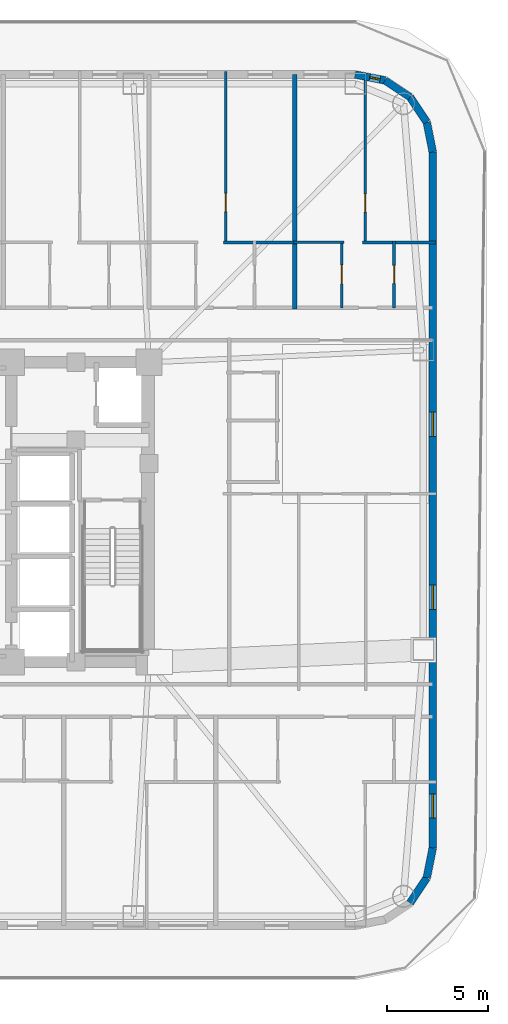
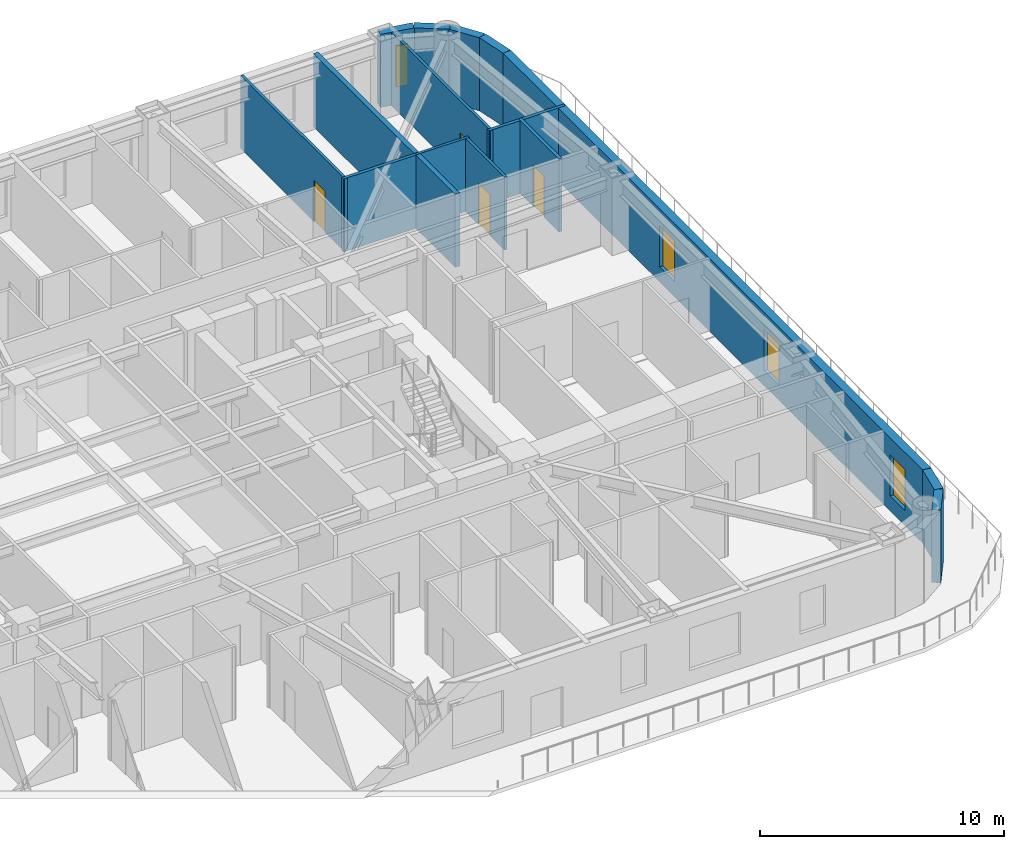
# One storey, part 10 of 16: 15 walls, 4 doors, 4 windows, 8 openings.
"""IFC4 building model written with IfcOpenShell, lengths in metres."""

from ifc_helpers import new_model, si_unit, direction, frame, frame_2d, origin, place, context, subcontext, project, spatial, rectangle, extrude, material, layer, layer_set, type_object, element, fill, save


model = new_model("IFC4")

# Units and contexts
model_context = context("Model", 3, precision=1e-05, world=origin(), true_north=direction((0.0, 1.0)))
body_context = subcontext(model_context, "Body", "Model", "MODEL_VIEW")
ifc_project = project(units=[si_unit("LENGTHUNIT", "METRE"), si_unit("AREAUNIT", "SQUARE_METRE"), si_unit("VOLUMEUNIT", "CUBIC_METRE"), si_unit("PLANEANGLEUNIT", "RADIAN"), si_unit("MASSUNIT", "GRAM", prefix="KILO")], contexts=[model_context])

# Site, building, storey
site_placement = place(None, origin())
site = spatial("IfcSite", under=ifc_project, at=site_placement, CompositionType="ELEMENT")
building_placement = place(site_placement, origin())
building = spatial("IfcBuilding", under=site, at=building_placement, Name="Voryun Gate Residences", CompositionType="ELEMENT")
storey_placement = place(building_placement, frame((0.0, 0.0, 113.10009765625)))
storey = spatial("IfcBuildingStorey", under=building, at=storey_placement, Name="L27", CompositionType="ELEMENT", Elevation=113.10009765625)

# Wall, opening, window
ifc_material_1 = material(Name="Granite masonry", Category="masonry")
ifc_layer_1 = layer(ifc_material_1, 0.3798828125, Name="W_EXT_GRANITE_380")
ifc_layer_set_1 = layer_set([ifc_layer_1], Name="Granite masonry")
wall_type_1 = type_object("IfcWallType", Name="W_EXT_GRANITE_380", PredefinedType="ELEMENTEDWALL", material=ifc_layer_set_1)
wall_1_placement = place(storey_placement, frame((29.38134765625, 21.610107421875, 0.0), z_axis=(0.0, 0.0, 1.0), x_axis=(0.980755066645, -0.195242155415, 0.0)))
wall_1 = element("IfcWall", 1, at=wall_1_placement, inside=storey, type_object=wall_type_1, Name="Exterior wall WEXT-L27-12", PredefinedType="ELEMENTEDWALL", context=body_context, shape_type="SweptSolid", body=[
    extrude(rectangle(XDim=1.50439453125, YDim=0.3798828125, at=frame_2d((0.752197265625, 0.0))), origin(), (0.0, 0.0, 1.0), 3.64990234375),
])
opening_1_placement = place(wall_1_placement, frame((0.732177734375, 0.0, 0.75)))
opening_1 = element("IfcOpeningElement", 2, at=opening_1_placement, cuts=wall_1, Name="Opening WN10", PredefinedType="OPENING", context=body_context, shape_type="SweptSolid", body=[
    extrude(rectangle(XDim=0.52001953125, YDim=2.050048828125, at=frame_2d((0.260009765625, 1.02490234375))), frame((0.0, 0.199951171875, 0.0), z_axis=(0.0, -1.0, 0.0), x_axis=(1.0, 0.0, 0.0)), (0.0, 0.0, 1.0), 0.39990234375),
])
ifc_material_2 = material(Name="Laminated low-E glass", Category="glass")
window_type_1 = type_object("IfcWindowType", Name="WN_PAGODA_LANCET_520", PartitioningType="SINGLE_PANEL", PredefinedType="WINDOW", material=ifc_material_2)
window_1_placement = place(opening_1_placement, origin())
window_1 = element("IfcWindow", 3, at=window_1_placement, inside=storey, type_object=window_type_1, Name="Window WN-L27-DWFIX-14", OverallHeight=2.050048828125, OverallWidth=0.52001953125, PartitioningType="SINGLE_PANEL", PredefinedType="WINDOW", context=body_context, shape_type="SweptSolid", body=[
    extrude(rectangle(XDim=0.52001953125, YDim=2.050048828125, at=frame_2d((0.260009765625, 1.02490234375))), frame((0.0, 0.030029296875, 0.0), z_axis=(0.0, -1.0, 0.0), x_axis=(1.0, 0.0, 0.0)), (0.0, 0.0, 1.0), 0.06005859375),
])
fill(opening_1, window_1)

# Walls
wall_2_placement = place(storey_placement, frame((30.856689453125, 21.31640625, 0.0), z_axis=(0.0, 0.0, 1.0), x_axis=(0.831468045563, -0.555572577804, 0.0)))
element("IfcWall", 4, at=wall_2_placement, inside=storey, type_object=wall_type_1, Name="Exterior wall WEXT-L27-13", PredefinedType="ELEMENTEDWALL", context=body_context, shape_type="SweptSolid", body=[
    extrude(rectangle(XDim=1.48486328125, YDim=0.3798828125, at=frame_2d((0.742431640625, 0.0))), origin(), (0.0, 0.0, 1.0), 3.64990234375),
])
wall_3_placement = place(storey_placement, frame((32.09130859375, 20.491455078125, 0.0), z_axis=(0.0, 0.0, 1.0), x_axis=(0.555610286119, -0.831442848281, 0.0)))
element("IfcWall", 5, at=wall_3_placement, inside=storey, type_object=wall_type_1, Name="Exterior wall WEXT-L27-14", PredefinedType="ELEMENTEDWALL", context=body_context, shape_type="SweptSolid", body=[
    extrude(rectangle(XDim=1.485107421875, YDim=0.3798828125, at=frame_2d((0.74267578125, 0.0))), origin(), (0.0, 0.0, 1.0), 3.64990234375),
])
wall_4_placement = place(storey_placement, frame((32.91650390625, 19.256591796875, 0.0), z_axis=(0.0, 0.0, 1.0), x_axis=(0.195086038585, -0.980786132421, 0.0)))
element("IfcWall", 6, at=wall_4_placement, inside=storey, type_object=wall_type_1, Name="Exterior wall WEXT-L27-15", PredefinedType="ELEMENTEDWALL", context=body_context, shape_type="SweptSolid", body=[
    extrude(rectangle(XDim=1.504150390625, YDim=0.3798828125, at=frame_2d((0.751953125, 0.0))), origin(), (0.0, 0.0, 1.0), 3.64990234375),
])

# Wall, openings, windows
wall_5_placement = place(storey_placement, frame((33.2099609375, 17.78125, 0.0), z_axis=(0.0, 0.0, 1.0), x_axis=(0.0, -1.0, 0.0)))
wall_5 = element("IfcWall", 7, at=wall_5_placement, inside=storey, type_object=wall_type_1, Name="Exterior wall WEXT-L27-16", PredefinedType="ELEMENTEDWALL", context=body_context, shape_type="SweptSolid", body=[
    extrude(rectangle(XDim=34.362548828125, YDim=0.3798828125, at=frame_2d((17.18115234375, 0.0))), origin(), (0.0, 0.0, 1.0), 3.64990234375),
])
opening_2_placement = place(wall_5_placement, frame((31.68701171875, 0.0, 0.75)))
opening_2 = element("IfcOpeningElement", 8, at=opening_2_placement, cuts=wall_5, Name="Opening WN6", PredefinedType="OPENING", context=body_context, shape_type="SweptSolid", body=[
    extrude(rectangle(XDim=1.199951171875, YDim=2.050048828125, at=frame_2d((0.60009765625, 1.02490234375))), frame((0.0, 0.199951171875, 0.0), z_axis=(0.0, -1.0, 0.0), x_axis=(1.0, 0.0, 0.0)), (0.0, 0.0, 1.0), 0.39990234375),
])
opening_3_placement = place(wall_5_placement, frame((12.836181640625, 0.0, 0.75)))
opening_3 = element("IfcOpeningElement", 9, at=opening_3_placement, cuts=wall_5, Name="Opening WN6", PredefinedType="OPENING", context=body_context, shape_type="SweptSolid", body=[
    extrude(rectangle(XDim=1.199951171875, YDim=2.050048828125, at=frame_2d((0.60009765625, 1.02490234375))), frame((0.0, 0.199951171875, 0.0), z_axis=(0.0, -1.0, 0.0), x_axis=(1.0, 0.0, 0.0)), (0.0, 0.0, 1.0), 0.39990234375),
])
opening_4_placement = place(wall_5_placement, frame((21.38623046875, 0.0, 0.75)))
opening_4 = element("IfcOpeningElement", 10, at=opening_4_placement, cuts=wall_5, Name="Opening WN6", PredefinedType="OPENING", context=body_context, shape_type="SweptSolid", body=[
    extrude(rectangle(XDim=1.199951171875, YDim=2.050048828125, at=frame_2d((0.60009765625, 1.02490234375))), frame((0.0, 0.199951171875, 0.0), z_axis=(0.0, -1.0, 0.0), x_axis=(1.0, 0.0, 0.0)), (0.0, 0.0, 1.0), 0.39990234375),
])
ifc_material_3 = material(Name="Laminated low-E glass", Category="glass")
window_type_2 = type_object("IfcWindowType", Name="WN_POD_SLOT_1200", PartitioningType="SINGLE_PANEL", PredefinedType="WINDOW", material=ifc_material_3)
window_2_placement = place(opening_2_placement, origin())
window_2 = element("IfcWindow", 11, at=window_2_placement, inside=storey, type_object=window_type_2, Name="Window WN-L27-DWFIX-23", OverallHeight=2.050048828125, OverallWidth=1.199951171875, PartitioningType="SINGLE_PANEL", PredefinedType="WINDOW", context=body_context, shape_type="SweptSolid", body=[
    extrude(rectangle(XDim=1.199951171875, YDim=2.050048828125, at=frame_2d((0.60009765625, 1.02490234375))), frame((0.0, 0.030029296875, 0.0), z_axis=(0.0, -1.0, 0.0), x_axis=(1.0, 0.0, 0.0)), (0.0, 0.0, 1.0), 0.06005859375),
])
fill(opening_2, window_2)
window_3_placement = place(opening_3_placement, origin())
window_3 = element("IfcWindow", 12, at=window_3_placement, inside=storey, type_object=window_type_2, Name="Window WN-L27-DWFIX-26", OverallHeight=2.050048828125, OverallWidth=1.199951171875, PartitioningType="SINGLE_PANEL", PredefinedType="WINDOW", context=body_context, shape_type="SweptSolid", body=[
    extrude(rectangle(XDim=1.199951171875, YDim=2.050048828125, at=frame_2d((0.60009765625, 1.02490234375))), frame((0.0, 0.030029296875, 0.0), z_axis=(0.0, -1.0, 0.0), x_axis=(1.0, 0.0, 0.0)), (0.0, 0.0, 1.0), 0.06005859375),
])
fill(opening_3, window_3)
window_4_placement = place(opening_4_placement, origin())
window_4 = element("IfcWindow", 13, at=window_4_placement, inside=storey, type_object=window_type_2, Name="Window WN-L27-DWFIX-27", OverallHeight=2.050048828125, OverallWidth=1.199951171875, PartitioningType="SINGLE_PANEL", PredefinedType="WINDOW", context=body_context, shape_type="SweptSolid", body=[
    extrude(rectangle(XDim=1.199951171875, YDim=2.050048828125, at=frame_2d((0.60009765625, 1.02490234375))), frame((0.0, 0.030029296875, 0.0), z_axis=(0.0, -1.0, 0.0), x_axis=(1.0, 0.0, 0.0)), (0.0, 0.0, 1.0), 0.06005859375),
])
fill(opening_4, window_4)

# Walls
wall_6_placement = place(storey_placement, frame((33.2099609375, -16.581298828125, 0.0), z_axis=(0.0, 0.0, 1.0), x_axis=(-0.195086038585, -0.980786132421, 0.0)))
element("IfcWall", 14, at=wall_6_placement, inside=storey, type_object=wall_type_1, Name="Exterior wall WEXT-L27-17", PredefinedType="ELEMENTEDWALL", context=body_context, shape_type="SweptSolid", body=[
    extrude(rectangle(XDim=1.504150390625, YDim=0.3798828125, at=frame_2d((0.751953125, 0.0))), origin(), (0.0, 0.0, 1.0), 3.64990234375),
])
wall_7_placement = place(storey_placement, frame((32.91650390625, -18.056640625, 0.0), z_axis=(0.0, 0.0, 1.0), x_axis=(-0.555610286119, -0.831442848281, 0.0)))
element("IfcWall", 15, at=wall_7_placement, inside=storey, type_object=wall_type_1, Name="Exterior wall WEXT-L27-18", PredefinedType="ELEMENTEDWALL", context=body_context, shape_type="SweptSolid", body=[
    extrude(rectangle(XDim=1.485107421875, YDim=0.3798828125, at=frame_2d((0.74267578125, 0.0))), origin(), (0.0, 0.0, 1.0), 3.64990234375),
])
ifc_material_4 = material(Name="Concrete C40/50", Category="concrete")
ifc_layer_2 = layer(ifc_material_4, 0.219970703125, Name="W_PARTY_ACOUSTIC_220")
ifc_layer_set_2 = layer_set([ifc_layer_2], Name="Concrete C40/50")
wall_type_2 = type_object("IfcWallType", Name="W_PARTY_ACOUSTIC_220", PredefinedType="PARTITIONING", material=ifc_layer_set_2)
wall_8_placement = place(storey_placement, frame((26.39990234375, 10.02001953125, 0.0), z_axis=(0.0, 0.0, 1.0), x_axis=(0.0, 1.0, 0.0)))
element("IfcWall", 16, at=wall_8_placement, inside=storey, type_object=wall_type_2, Name="Partition wall WP-L27-NPTY-8", PredefinedType="PARTITIONING", context=body_context, shape_type="SweptSolid", body=[
    extrude(rectangle(XDim=11.590087890625, YDim=0.219970703125, at=frame_2d((5.794921875, 0.0))), origin(), (0.0, 0.0, 1.0), 3.64990234375),
])

# Wall, opening, door
ifc_material_5 = material(Name="Gypsum acoustic partition")
ifc_layer_3 = layer(ifc_material_5, 0.125, Name="W_UNIT_PART_125")
ifc_layer_set_3 = layer_set([ifc_layer_3], Name="Gypsum acoustic partition")
wall_type_3 = type_object("IfcWallType", Name="W_UNIT_PART_125", PredefinedType="PARTITIONING", material=ifc_layer_set_3)
wall_9_placement = place(storey_placement, frame((22.989990234375, 13.239990234375, 0.0), z_axis=(0.0, 0.0, 1.0), x_axis=(0.0, 1.0, 0.0)))
wall_9 = element("IfcWall", 17, at=wall_9_placement, inside=storey, type_object=wall_type_3, Name="Partition wall WP-L27-N8-OVR", PredefinedType="PARTITIONING", context=body_context, shape_type="SweptSolid", body=[
    extrude(rectangle(XDim=8.52001953125, YDim=0.125, at=frame_2d((4.260009765625, 0.0))), origin(), (0.0, 0.0, 1.0), 3.64990234375),
])
opening_5_placement = place(wall_9_placement, frame((1.5947265625, 0.0, 0.0)))
opening_5 = element("IfcOpeningElement", 18, at=opening_5_placement, cuts=wall_9, Name="Opening D-INT-2", PredefinedType="OPENING", context=body_context, shape_type="SweptSolid", body=[
    extrude(rectangle(XDim=0.89990234375, YDim=2.050048828125, at=frame_2d((0.449951171875, 1.02490234375))), frame((0.0, 0.072509765625, 0.0), z_axis=(0.0, -1.0, 0.0), x_axis=(1.0, 0.0, 0.0)), (0.0, 0.0, 1.0), 0.14501953125),
])
ifc_material_6 = material(Name="Architectural oak veneer")
door_type_1 = type_object("IfcDoorType", Name="DR_INT_BATH_900", OperationType="NOTDEFINED", PredefinedType="DOOR", material=ifc_material_6)
door_1_placement = place(opening_5_placement, origin())
door_1 = element("IfcDoor", 19, at=door_1_placement, inside=storey, type_object=door_type_1, Name="Door DR-L27-N8-DMB", OperationType="SINGLE_SWING_RIGHT", OverallHeight=2.050048828125, OverallWidth=0.89990234375, PredefinedType="DOOR", context=body_context, shape_type="SweptSolid", body=[
    extrude(rectangle(XDim=0.89990234375, YDim=2.050048828125, at=frame_2d((0.449951171875, 1.02490234375))), frame((0.0, 0.02490234375, 0.0), z_axis=(0.0, -1.0, 0.0), x_axis=(1.0, 0.0, 0.0)), (0.0, 0.0, 1.0), 0.050048828125),
])
fill(opening_5, door_1)

wall_10_placement = place(storey_placement, frame((29.867919921875, 13.239990234375, 0.0), z_axis=(0.0, 0.0, 1.0), x_axis=(0.0, 1.0, 0.0)))
wall_10 = element("IfcWall", 20, at=wall_10_placement, inside=storey, type_object=wall_type_3, Name="Partition wall WP-L27-N9-OVR", PredefinedType="PARTITIONING", context=body_context, shape_type="SweptSolid", body=[
    extrude(rectangle(XDim=8.426025390625, YDim=0.125, at=frame_2d((4.212890625, 0.0))), origin(), (0.0, 0.0, 1.0), 3.64990234375),
])
opening_6_placement = place(wall_10_placement, frame((1.572265625, 0.0, 0.0)))
opening_6 = element("IfcOpeningElement", 21, at=opening_6_placement, cuts=wall_10, Name="Opening D-INT-2", PredefinedType="OPENING", context=body_context, shape_type="SweptSolid", body=[
    extrude(rectangle(XDim=0.89990234375, YDim=2.050048828125, at=frame_2d((0.449951171875, 1.02490234375))), frame((0.0, 0.072509765625, 0.0), z_axis=(0.0, -1.0, 0.0), x_axis=(1.0, 0.0, 0.0)), (0.0, 0.0, 1.0), 0.14501953125),
])
door_2_placement = place(opening_6_placement, origin())
door_2 = element("IfcDoor", 22, at=door_2_placement, inside=storey, type_object=door_type_1, Name="Door DR-L27-N9-DMB", OperationType="SINGLE_SWING_RIGHT", OverallHeight=2.050048828125, OverallWidth=0.89990234375, PredefinedType="DOOR", context=body_context, shape_type="SweptSolid", body=[
    extrude(rectangle(XDim=0.89990234375, YDim=2.050048828125, at=frame_2d((0.449951171875, 1.02490234375))), frame((0.0, 0.02490234375, 0.0), z_axis=(0.0, -1.0, 0.0), x_axis=(1.0, 0.0, 0.0)), (0.0, 0.0, 1.0), 0.050048828125),
])
fill(opening_6, door_2)

wall_11_placement = place(storey_placement, frame((28.7099609375, 10.080078125, 0.0), z_axis=(0.0, 0.0, 1.0), x_axis=(0.0, 1.0, 0.0)))
wall_11 = element("IfcWall", 23, at=wall_11_placement, inside=storey, type_object=wall_type_3, Name="Partition wall WP-L27-N9-IVK", PredefinedType="PARTITIONING", context=body_context, shape_type="SweptSolid", body=[
    extrude(rectangle(XDim=3.31982421875, YDim=0.125, at=frame_2d((1.659912109375, 0.0))), origin(), (0.0, 0.0, 1.0), 3.64990234375),
])
opening_7_placement = place(wall_11_placement, frame((1.18505859375, 0.0, 0.0)))
opening_7 = element("IfcOpeningElement", 24, at=opening_7_placement, cuts=wall_11, Name="Opening D-INT-1", PredefinedType="OPENING", context=body_context, shape_type="SweptSolid", body=[
    extrude(rectangle(XDim=0.949951171875, YDim=2.050048828125, at=frame_2d((0.47509765625, 1.02490234375))), frame((0.0, 0.072509765625, 0.0), z_axis=(0.0, -1.0, 0.0), x_axis=(1.0, 0.0, 0.0)), (0.0, 0.0, 1.0), 0.14501953125),
])
ifc_material_7 = material(Name="Architectural oak veneer")
door_type_2 = type_object("IfcDoorType", Name="DR_INT_ROOM_950", OperationType="NOTDEFINED", PredefinedType="DOOR", material=ifc_material_7)
door_3_placement = place(opening_7_placement, origin())
door_3 = element("IfcDoor", 25, at=door_3_placement, inside=storey, type_object=door_type_2, Name="Door DR-L27-N9-DK", OperationType="SINGLE_SWING_LEFT", OverallHeight=2.050048828125, OverallWidth=0.949951171875, PredefinedType="DOOR", context=body_context, shape_type="SweptSolid", body=[
    extrude(rectangle(XDim=0.949951171875, YDim=2.050048828125, at=frame_2d((0.47509765625, 1.02490234375))), frame((0.0, 0.02490234375, 0.0), z_axis=(0.0, -1.0, 0.0), x_axis=(1.0, 0.0, 0.0)), (0.0, 0.0, 1.0), 0.050048828125),
])
fill(opening_7, door_3)

# Walls
wall_12_placement = place(storey_placement, frame((26.324951171875, 13.320068359375, 0.0), z_axis=(0.0, 0.0, 1.0), x_axis=(1.0, 0.0, 0.0)))
element("IfcWall", 26, at=wall_12_placement, inside=storey, type_object=wall_type_3, Name="Partition wall WP-L27-N9-HZK", PredefinedType="PARTITIONING", context=body_context, shape_type="SweptSolid", body=[
    extrude(rectangle(XDim=2.505126953125, YDim=0.125, at=frame_2d((1.25244140625, 0.0))), origin(), (0.0, 0.0, 1.0), 3.64990234375),
])
ifc_material_8 = material(Name="Gypsum moisture-resistant partition")
ifc_layer_4 = layer(ifc_material_8, 0.14990234375, Name="W_WET_PLUMB_150")
ifc_layer_set_4 = layer_set([ifc_layer_4], Name="Gypsum moisture-resistant partition")
wall_type_4 = type_object("IfcWallType", Name="W_WET_PLUMB_150", PredefinedType="PLUMBINGWALL", material=ifc_layer_set_4)
wall_13_placement = place(storey_placement, frame((22.8701171875, 13.320068359375, 0.0), z_axis=(0.0, 0.0, 1.0), x_axis=(1.0, 0.0, 0.0)))
element("IfcWall", 27, at=wall_13_placement, inside=storey, type_object=wall_type_4, Name="Partition wall WP-L27-N8-HZB", PredefinedType="PLUMBINGWALL", context=body_context, shape_type="SweptSolid", body=[
    extrude(rectangle(XDim=3.60498046875, YDim=0.14990234375, at=frame_2d((1.802490234375, 0.0))), origin(), (0.0, 0.0, 1.0), 3.64990234375),
])
wall_14_placement = place(storey_placement, frame((29.748046875, 13.320068359375, 0.0), z_axis=(0.0, 0.0, 1.0), x_axis=(1.0, 0.0, 0.0)))
element("IfcWall", 28, at=wall_14_placement, inside=storey, type_object=wall_type_4, Name="Partition wall WP-L27-N9-HZB", PredefinedType="PLUMBINGWALL", context=body_context, shape_type="SweptSolid", body=[
    extrude(rectangle(XDim=3.612060546875, YDim=0.14990234375, at=frame_2d((1.80615234375, 0.0))), origin(), (0.0, 0.0, 1.0), 3.64990234375),
])

# Wall, opening, door
wall_15_placement = place(storey_placement, frame((31.298095703125, 10.080078125, 0.0), z_axis=(0.0, 0.0, 1.0), x_axis=(0.0, 1.0, 0.0)))
wall_15 = element("IfcWall", 29, at=wall_15_placement, inside=storey, type_object=wall_type_4, Name="Partition wall WP-L27-N9-IVB", PredefinedType="PLUMBINGWALL", context=body_context, shape_type="SweptSolid", body=[
    extrude(rectangle(XDim=3.31982421875, YDim=0.14990234375, at=frame_2d((1.659912109375, 0.0))), origin(), (0.0, 0.0, 1.0), 3.64990234375),
])
opening_8_placement = place(wall_15_placement, frame((1.2099609375, 0.0, 0.0)))
opening_8 = element("IfcOpeningElement", 30, at=opening_8_placement, cuts=wall_15, Name="Opening D-INT-2", PredefinedType="OPENING", context=body_context, shape_type="SweptSolid", body=[
    extrude(rectangle(XDim=0.89990234375, YDim=2.050048828125, at=frame_2d((0.449951171875, 1.02490234375))), frame((0.0, 0.0849609375, 0.0), z_axis=(0.0, -1.0, 0.0), x_axis=(1.0, 0.0, 0.0)), (0.0, 0.0, 1.0), 0.169921875),
])
door_4_placement = place(opening_8_placement, origin())
door_4 = element("IfcDoor", 31, at=door_4_placement, inside=storey, type_object=door_type_1, Name="Door DR-L27-N9-DB", OperationType="SINGLE_SWING_RIGHT", OverallHeight=2.050048828125, OverallWidth=0.89990234375, PredefinedType="DOOR", context=body_context, shape_type="SweptSolid", body=[
    extrude(rectangle(XDim=0.89990234375, YDim=2.050048828125, at=frame_2d((0.449951171875, 1.02490234375))), frame((0.0, 0.02490234375, 0.0), z_axis=(0.0, -1.0, 0.0), x_axis=(1.0, 0.0, 0.0)), (0.0, 0.0, 1.0), 0.050048828125),
])
fill(opening_8, door_4)

save(model, "model.ifc")
